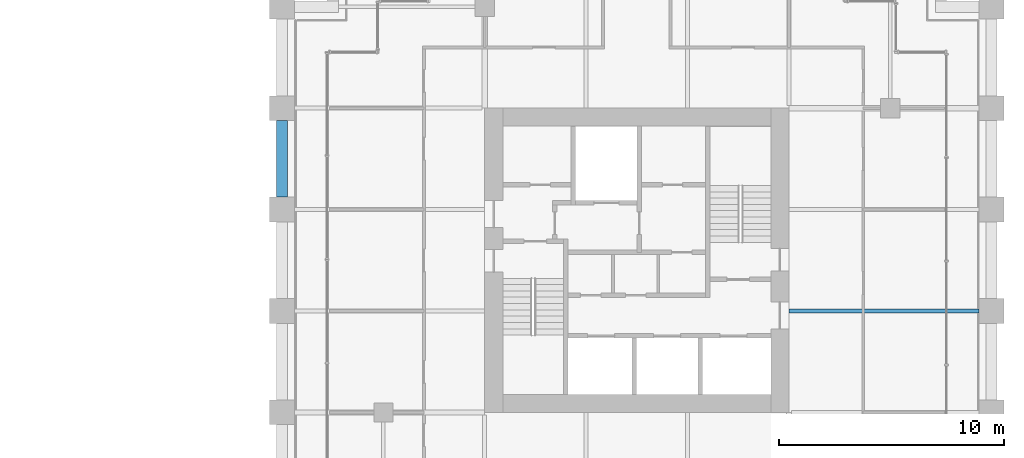
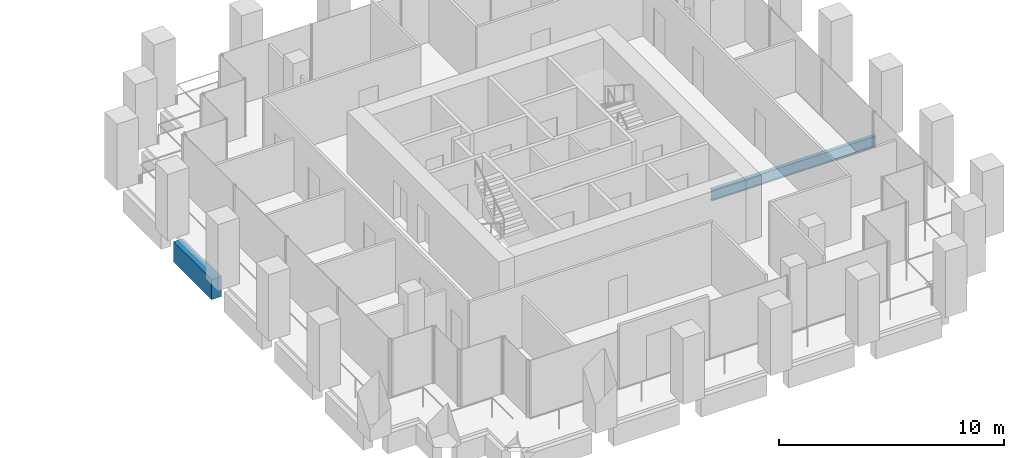
# One storey, part 39 of 56: 2 beams.
"""IFC4 building model written with IfcOpenShell, lengths in metres."""

from ifc_helpers import new_model, si_unit, direction, frame, origin, origin_2d, place, context, subcontext, project, spatial, rectangle, i_section, extrude, material, material_profile, profile_set, type_object, element, save


model = new_model("IFC4")

# Units and contexts
model_context = context("Model", 3, precision=1e-05, world=origin(), true_north=direction((0.0, 1.0)))
body_context = subcontext(model_context, "Body", "Model", "MODEL_VIEW")
ifc_project = project(units=[si_unit("LENGTHUNIT", "METRE"), si_unit("AREAUNIT", "SQUARE_METRE"), si_unit("VOLUMEUNIT", "CUBIC_METRE"), si_unit("PLANEANGLEUNIT", "RADIAN"), si_unit("MASSUNIT", "GRAM", prefix="KILO")], contexts=[model_context])

# Site, building, storey
site_placement = place(None, origin())
site = spatial("IfcSite", under=ifc_project, at=site_placement, CompositionType="ELEMENT")
building_placement = place(site_placement, origin())
building = spatial("IfcBuilding", under=site, at=building_placement, Name="Altepetl Exchange Towers", CompositionType="ELEMENT")
storey_placement = place(building_placement, frame((0.0, 0.0, 51.0)))
storey = spatial("IfcBuildingStorey", under=building, at=storey_placement, Name="L11", CompositionType="ELEMENT", Elevation=51.0)

# Beams
ifc_material_1 = material(Name="Steel S355", Category="steel")
ifc_material_profile_1 = material_profile(ifc_material_1, i_section(OverallWidth=0.177978515625, OverallDepth=0.59912109375, WebThickness=0.010009765625, FlangeThickness=0.0126953125, at=origin_2d()), Name="W24X55")
ifc_profile_set_1 = profile_set([ifc_material_profile_1], Name="Steel S355")
beam_type_1 = type_object("IfcBeamType", Name="Floor beam W24X55", PredefinedType="BEAM", material=ifc_profile_set_1)
beam_1_placement = place(storey_placement, frame((117.0, 40.5, -0.449462890625), z_axis=(1.0, 0.0, 0.0), x_axis=(0.0, 1.0, 0.0)))
element("IfcBeam", 1, at=beam_1_placement, inside=storey, type_object=beam_type_1, Name="bm:B:L11:006", PredefinedType="BEAM", context=body_context, shape_type="SweptSolid", body=[
    extrude(i_section(OverallWidth=0.177978515625, OverallDepth=0.59912109375, WebThickness=0.010009765625, FlangeThickness=0.0126953125, at=origin_2d()), origin(), (0.0, 0.0, 1.0), 8.449951171875),
])
ifc_material_2 = material(Name="Concrete C50/60 precast with cantera rosa facing", Category="concrete")
ifc_material_profile_2 = material_profile(ifc_material_2, rectangle(XDim=0.5, YDim=1.10009765625, at=origin_2d()), Name="500 x 1100")
ifc_profile_set_2 = profile_set([ifc_material_profile_2], Name="Concrete C50/60 precast with cantera rosa facing")
beam_type_2 = type_object("IfcBeamType", Name="Spandrel beam 500x1100 cantera rosa", PredefinedType="SPANDREL", material=ifc_profile_set_2)
beam_2_placement = place(storey_placement, frame((94.5, 48.949951171875, -0.699951171875), z_axis=(0.0, -1.0, 0.0), x_axis=(1.0, 0.0, 0.0)))
element("IfcBeam", 2, at=beam_2_placement, inside=storey, type_object=beam_type_2, Name="sp:B:L11:028", PredefinedType="SPANDREL", context=body_context, shape_type="SweptSolid", body=[
    extrude(rectangle(XDim=0.5, YDim=1.10009765625, at=origin_2d()), origin(), (0.0, 0.0, 1.0), 3.39990234375),
])

save(model, "model.ifc")
